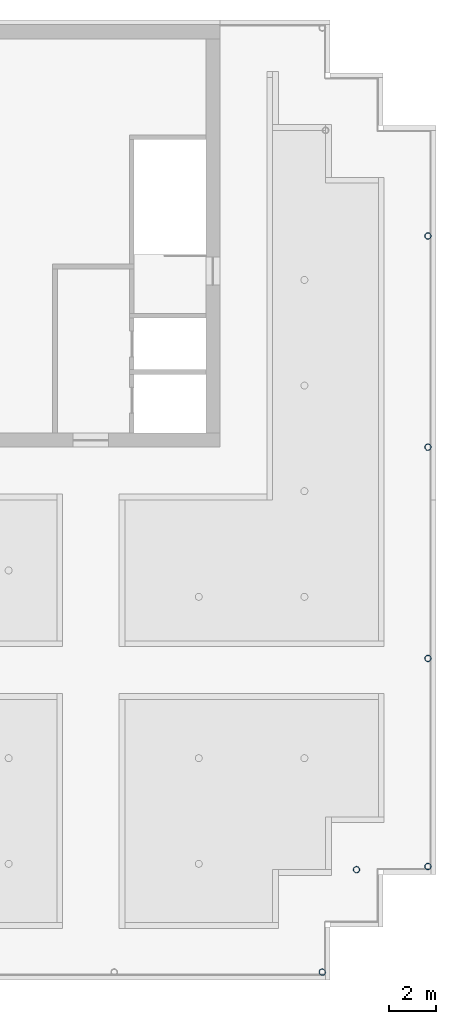
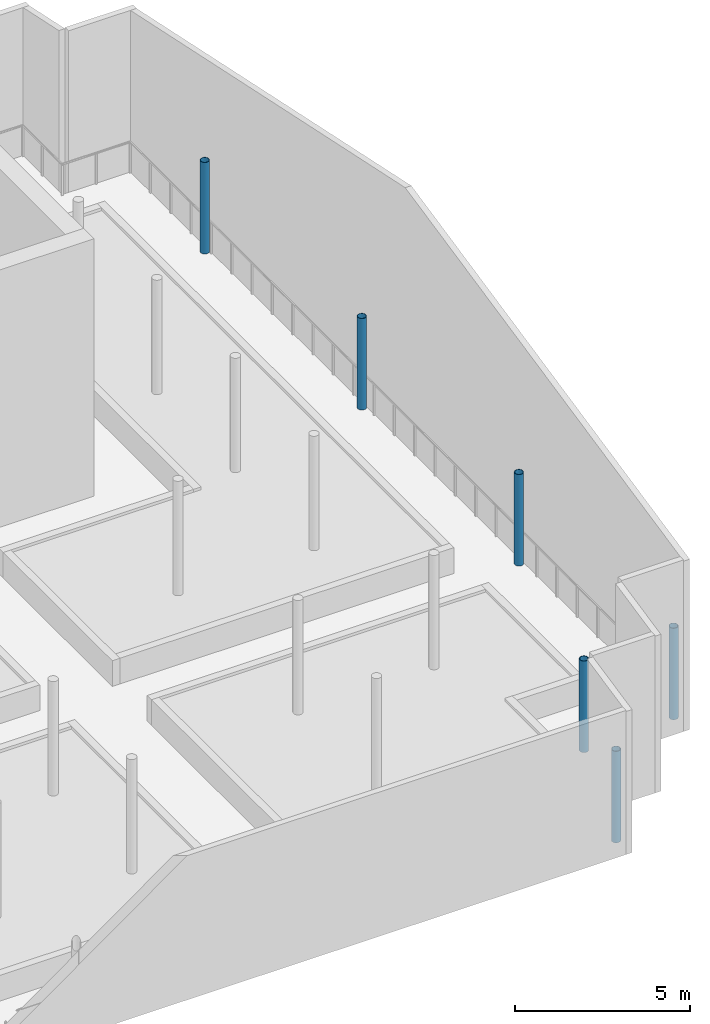
# One storey, part 3 of 9: 6 columns.
"""IFC4 building model written with IfcOpenShell, lengths in metres."""

from ifc_helpers import new_model, si_unit, direction, frame, origin, origin_2d, place, context, subcontext, project, spatial, hollow_circle, extrude, material, material_profile, profile_set, type_object, element, save


model = new_model("IFC4")

# Units and contexts
model_context = context("Model", 3, precision=1e-05, world=origin(), true_north=direction((0.0, 1.0)))
body_context = subcontext(model_context, "Body", "Model", "MODEL_VIEW")
ifc_project = project(units=[si_unit("LENGTHUNIT", "METRE"), si_unit("AREAUNIT", "SQUARE_METRE"), si_unit("VOLUMEUNIT", "CUBIC_METRE"), si_unit("PLANEANGLEUNIT", "RADIAN"), si_unit("MASSUNIT", "GRAM", prefix="KILO")], contexts=[model_context])

# Site, building, storey
site_placement = place(None, origin())
site = spatial("IfcSite", under=ifc_project, at=site_placement, CompositionType="ELEMENT")
building_placement = place(site_placement, origin())
building = spatial("IfcBuilding", under=site, at=building_placement, Name="Orbiselva Terraces", CompositionType="ELEMENT")
storey_placement = place(building_placement, frame((0.0, 0.0, 303.4)))
storey = spatial("IfcBuildingStorey", under=building, at=storey_placement, Name="L75", CompositionType="ELEMENT", Elevation=303.4)

# Columns
ifc_material = material(Name="Steel ASTM A500 Grade C", Category="steel")
ifc_material_profile = material_profile(ifc_material, hollow_circle(Radius=0.13655, WallThickness=0.0127, at=origin_2d()), Name="HSS273.1X12.7")
ifc_profile_set = profile_set([ifc_material_profile], Name="Steel ASTM A500 Grade C")
column_type = type_object("IfcColumnType", Name="CANOPY COLUMN HSS273.1X12.7", PredefinedType="COLUMN", material=ifc_profile_set)
for number, where, z_axis, x_axis, name in (
    (1, (17.86345, -17.86345, 0.0), (0.0, 0.0, 1.0), (1.0, 0.0, 0.0), "Canopy column L75-11"),
    (2, (22.36345, -13.36345, 0.0), (0.0, 0.0, 1.0), (1.0, 0.0, 0.0), "Canopy column L75-13"),
    (3, (19.32, -13.5, 0.0), (0.0, 0.0, 1.0), (1.0, 0.0, 0.0), "Canopy column L75-14"),
    (4, (22.36345, -4.5, 0.0), (0.0, 0.0, 1.0), (1.0, 0.0, 0.0), "Canopy column L75-15"),
    (5, (22.36345, 13.5, 0.0), (0.0, 0.0, 1.0), (1.0, 0.0, 0.0), "Canopy column L75-16"),
    (6, (22.36345, 4.5, 0.0), (0.0, 0.0, 1.0), (1.0, 0.0, 0.0), "Canopy column L75-18"),
):
    element("IfcColumn", number, at=place(storey_placement, frame(where, z_axis=z_axis, x_axis=x_axis)), inside=storey, type_object=column_type, Name=name, PredefinedType="COLUMN", context=body_context, shape_type="SweptSolid", body=[
        extrude(hollow_circle(Radius=0.13655, WallThickness=0.0127, at=origin_2d()), origin(), (0.0, 0.0, 1.0), 3.2),
    ])

save(model, "model.ifc")
